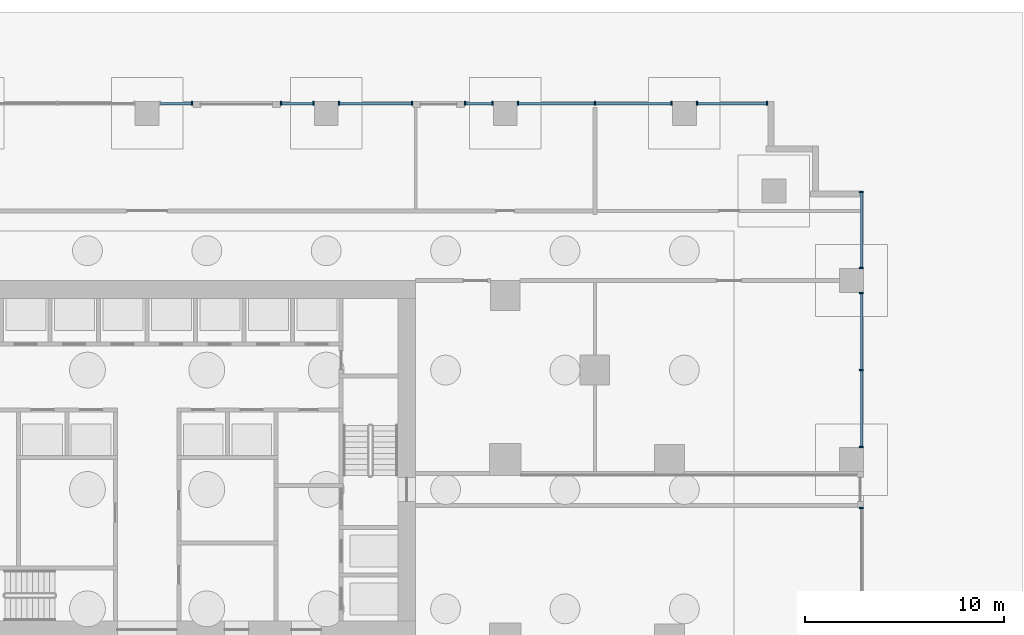
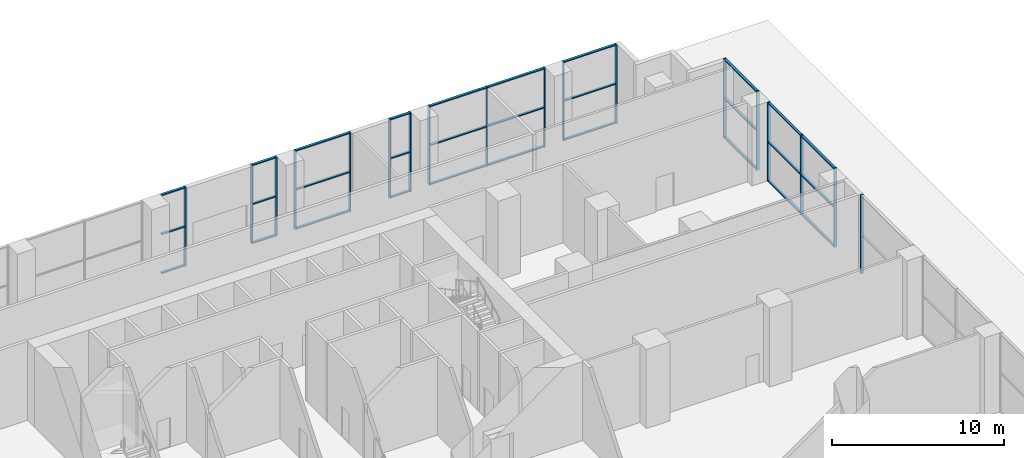
# One storey, part 8 of 20: 48 members, 9 elements without a shape of their own.
"""IFC4 building model written with IfcOpenShell, lengths in metres."""

from ifc_helpers import new_model, si_unit, direction, frame, origin, origin_2d, place, context, subcontext, project, spatial, rectangle, extrude, material, material_profile, profile_set, type_object, element, aggregate, save


model = new_model("IFC4")

# Units and contexts
model_context = context("Model", 3, precision=1e-05, world=origin(), true_north=direction((0.0, 1.0)))
body_context = subcontext(model_context, "Body", "Model", "MODEL_VIEW")
ifc_project = project(units=[si_unit("LENGTHUNIT", "METRE"), si_unit("AREAUNIT", "SQUARE_METRE"), si_unit("VOLUMEUNIT", "CUBIC_METRE"), si_unit("PLANEANGLEUNIT", "RADIAN"), si_unit("MASSUNIT", "GRAM", prefix="KILO")], contexts=[model_context])

# Site, building, storey
site_placement = place(None, origin())
site = spatial("IfcSite", under=ifc_project, at=site_placement, CompositionType="ELEMENT")
building_placement = place(site_placement, origin())
building = spatial("IfcBuilding", under=site, at=building_placement, Name="Orbiselva Terraces", CompositionType="ELEMENT")
storey_placement = place(building_placement, origin())
storey = spatial("IfcBuildingStorey", under=building, at=storey_placement, Name="L00", CompositionType="ELEMENT", Elevation=0.0)

# Curtain wall, member
ifc_material_1 = material(Name="Clear low-e glazing in aluminium frame", Category="aluminium")
curtain_wall_type = type_object("IfcCurtainWallType", Name="ENV-CW-LOBBY", PredefinedType="NOTDEFINED", material=ifc_material_1)
curtain_wall_1_placement = place(storey_placement, origin())
curtain_wall_1 = element("IfcCurtainWall", 1, at=curtain_wall_1_placement, inside=storey, type_object=curtain_wall_type, Name="Curtain wall L00 E", PredefinedType="NOTDEFINED")
ifc_material_2 = material(Name="Anodised aluminium", Category="aluminium")
ifc_material_profile_1 = material_profile(ifc_material_2, rectangle(XDim=0.2, YDim=0.075, at=origin_2d()), Name="AL 75x200")
ifc_profile_set_1 = profile_set([ifc_material_profile_1], Name="Anodised aluminium")
member_type_1 = type_object("IfcMemberType", Name="ENV-CW-LOBBY-MULLION-75x200", PredefinedType="MULLION", material=ifc_profile_set_1)
member_1_placement = place(storey_placement, frame((35.9, 11.0625, 0.0), z_axis=(0.0, 0.0, 1.0), x_axis=(-1.0, 0.0, 0.0)))
member_1 = element("IfcMember", 2, at=member_1_placement, type_object=member_type_1, Name="CW1 mullion 2", PredefinedType="MULLION", context=body_context, shape_type="SweptSolid", body=[
    extrude(rectangle(XDim=0.2, YDim=0.075, at=origin_2d()), origin(), (0.0, 0.0, 1.0), 5.6),
])
aggregate(curtain_wall_1, [member_1])

# Curtain wall, members
curtain_wall_2_placement = place(storey_placement, origin())
curtain_wall_2 = element("IfcCurtainWall", 3, at=curtain_wall_2_placement, inside=storey, type_object=curtain_wall_type, Name="Curtain wall L00 E", PredefinedType="NOTDEFINED")
member_2_placement = place(storey_placement, frame((35.9, 14.1375, 0.0), z_axis=(0.0, 0.0, 1.0), x_axis=(-1.0, 0.0, 0.0)))
member_2 = element("IfcMember", 4, at=member_2_placement, type_object=member_type_1, Name="CW1 mullion 1", PredefinedType="MULLION", context=body_context, shape_type="SweptSolid", body=[
    extrude(rectangle(XDim=0.2, YDim=0.075, at=origin_2d()), origin(), (0.0, 0.0, 1.0), 5.6),
])
member_3_placement = place(storey_placement, frame((35.9, 18.0, 0.0), z_axis=(0.0, 0.0, 1.0), x_axis=(-1.0, 0.0, 0.0)))
member_3 = element("IfcMember", 5, at=member_3_placement, type_object=member_type_1, Name="CW1 mullion 2", PredefinedType="MULLION", context=body_context, shape_type="SweptSolid", body=[
    extrude(rectangle(XDim=0.2, YDim=0.075, at=origin_2d()), origin(), (0.0, 0.0, 1.0), 5.6),
])
member_4_placement = place(storey_placement, frame((35.9, 21.8625, 0.0), z_axis=(0.0, 0.0, 1.0), x_axis=(-1.0, 0.0, 0.0)))
member_4 = element("IfcMember", 6, at=member_4_placement, type_object=member_type_1, Name="CW1 mullion 3", PredefinedType="MULLION", context=body_context, shape_type="SweptSolid", body=[
    extrude(rectangle(XDim=0.2, YDim=0.075, at=origin_2d()), origin(), (0.0, 0.0, 1.0), 5.6),
])

curtain_wall_3_placement = place(storey_placement, origin())
curtain_wall_3 = element("IfcCurtainWall", 7, at=curtain_wall_3_placement, inside=storey, type_object=curtain_wall_type, Name="Curtain wall L00 E", PredefinedType="NOTDEFINED")
member_5_placement = place(storey_placement, frame((35.9, 23.1375, 0.0), z_axis=(0.0, 0.0, 1.0), x_axis=(-1.0, 0.0, 0.0)))
member_5 = element("IfcMember", 8, at=member_5_placement, type_object=member_type_1, Name="CW1 mullion 1", PredefinedType="MULLION", context=body_context, shape_type="SweptSolid", body=[
    extrude(rectangle(XDim=0.2, YDim=0.075, at=origin_2d()), origin(), (0.0, 0.0, 1.0), 5.6),
])
member_6_placement = place(storey_placement, frame((35.9, 26.9625, 0.0), z_axis=(0.0, 0.0, 1.0), x_axis=(-1.0, 0.0, 0.0)))
member_6 = element("IfcMember", 9, at=member_6_placement, type_object=member_type_1, Name="CW1 mullion 2", PredefinedType="MULLION", context=body_context, shape_type="SweptSolid", body=[
    extrude(rectangle(XDim=0.2, YDim=0.075, at=origin_2d()), origin(), (0.0, 0.0, 1.0), 5.6),
])

curtain_wall_4_placement = place(storey_placement, origin())
curtain_wall_4 = element("IfcCurtainWall", 10, at=curtain_wall_4_placement, inside=storey, type_object=curtain_wall_type, Name="Curtain wall L00 N", PredefinedType="NOTDEFINED")
member_7_placement = place(storey_placement, frame((31.1625, 31.4, 0.0), z_axis=(0.0, 0.0, 1.0), x_axis=(0.0, -1.0, 0.0)))
member_7 = element("IfcMember", 11, at=member_7_placement, type_object=member_type_1, Name="CW1 mullion 1", PredefinedType="MULLION", context=body_context, shape_type="SweptSolid", body=[
    extrude(rectangle(XDim=0.2, YDim=0.075, at=origin_2d()), origin(), (0.0, 0.0, 1.0), 5.6),
])
member_8_placement = place(storey_placement, frame((27.6375, 31.4, 0.0), z_axis=(0.0, 0.0, 1.0), x_axis=(0.0, -1.0, 0.0)))
member_8 = element("IfcMember", 12, at=member_8_placement, type_object=member_type_1, Name="CW1 mullion 2", PredefinedType="MULLION", context=body_context, shape_type="SweptSolid", body=[
    extrude(rectangle(XDim=0.2, YDim=0.075, at=origin_2d()), origin(), (0.0, 0.0, 1.0), 5.6),
])

curtain_wall_5_placement = place(storey_placement, origin())
curtain_wall_5 = element("IfcCurtainWall", 13, at=curtain_wall_5_placement, inside=storey, type_object=curtain_wall_type, Name="Curtain wall L00 N", PredefinedType="NOTDEFINED")
member_9_placement = place(storey_placement, frame((26.3625, 31.4, 0.0), z_axis=(0.0, 0.0, 1.0), x_axis=(0.0, -1.0, 0.0)))
member_9 = element("IfcMember", 14, at=member_9_placement, type_object=member_type_1, Name="CW1 mullion 1", PredefinedType="MULLION", context=body_context, shape_type="SweptSolid", body=[
    extrude(rectangle(XDim=0.2, YDim=0.075, at=origin_2d()), origin(), (0.0, 0.0, 1.0), 5.6),
])
member_10_placement = place(storey_placement, frame((22.5, 31.4, 0.0), z_axis=(0.0, 0.0, 1.0), x_axis=(0.0, -1.0, 0.0)))
member_10 = element("IfcMember", 15, at=member_10_placement, type_object=member_type_1, Name="CW1 mullion 2", PredefinedType="MULLION", context=body_context, shape_type="SweptSolid", body=[
    extrude(rectangle(XDim=0.2, YDim=0.075, at=origin_2d()), origin(), (0.0, 0.0, 1.0), 5.6),
])
member_11_placement = place(storey_placement, frame((18.6375, 31.4, 0.0), z_axis=(0.0, 0.0, 1.0), x_axis=(0.0, -1.0, 0.0)))
member_11 = element("IfcMember", 16, at=member_11_placement, type_object=member_type_1, Name="CW1 mullion 3", PredefinedType="MULLION", context=body_context, shape_type="SweptSolid", body=[
    extrude(rectangle(XDim=0.2, YDim=0.075, at=origin_2d()), origin(), (0.0, 0.0, 1.0), 5.6),
])

curtain_wall_6_placement = place(storey_placement, origin())
curtain_wall_6 = element("IfcCurtainWall", 17, at=curtain_wall_6_placement, inside=storey, type_object=curtain_wall_type, Name="Curtain wall L00 N", PredefinedType="NOTDEFINED")
member_12_placement = place(storey_placement, frame((17.3625, 31.4, 0.0), z_axis=(0.0, 0.0, 1.0), x_axis=(0.0, -1.0, 0.0)))
member_12 = element("IfcMember", 18, at=member_12_placement, type_object=member_type_1, Name="CW1 mullion 1", PredefinedType="MULLION", context=body_context, shape_type="SweptSolid", body=[
    extrude(rectangle(XDim=0.2, YDim=0.075, at=origin_2d()), origin(), (0.0, 0.0, 1.0), 5.6),
])
member_13_placement = place(storey_placement, frame((15.9875, 31.4, 0.0), z_axis=(0.0, 0.0, 1.0), x_axis=(0.0, -1.0, 0.0)))
member_13 = element("IfcMember", 19, at=member_13_placement, type_object=member_type_1, Name="CW1 mullion 2", PredefinedType="MULLION", context=body_context, shape_type="SweptSolid", body=[
    extrude(rectangle(XDim=0.2, YDim=0.075, at=origin_2d()), origin(), (0.0, 0.0, 1.0), 5.6),
])

curtain_wall_7_placement = place(storey_placement, origin())
curtain_wall_7 = element("IfcCurtainWall", 20, at=curtain_wall_7_placement, inside=storey, type_object=curtain_wall_type, Name="Curtain wall L00 N", PredefinedType="NOTDEFINED")
member_14_placement = place(storey_placement, frame((13.3125, 31.4, 0.0), z_axis=(0.0, 0.0, 1.0), x_axis=(0.0, -1.0, 0.0)))
member_14 = element("IfcMember", 21, at=member_14_placement, type_object=member_type_1, Name="CW1 mullion 1", PredefinedType="MULLION", context=body_context, shape_type="SweptSolid", body=[
    extrude(rectangle(XDim=0.2, YDim=0.075, at=origin_2d()), origin(), (0.0, 0.0, 1.0), 5.6),
])
member_15_placement = place(storey_placement, frame((9.6375, 31.4, 0.0), z_axis=(0.0, 0.0, 1.0), x_axis=(0.0, -1.0, 0.0)))
member_15 = element("IfcMember", 22, at=member_15_placement, type_object=member_type_1, Name="CW1 mullion 2", PredefinedType="MULLION", context=body_context, shape_type="SweptSolid", body=[
    extrude(rectangle(XDim=0.2, YDim=0.075, at=origin_2d()), origin(), (0.0, 0.0, 1.0), 5.6),
])

curtain_wall_8_placement = place(storey_placement, origin())
curtain_wall_8 = element("IfcCurtainWall", 23, at=curtain_wall_8_placement, inside=storey, type_object=curtain_wall_type, Name="Curtain wall L00 N", PredefinedType="NOTDEFINED")
member_16_placement = place(storey_placement, frame((8.3625, 31.4, 0.0), z_axis=(0.0, 0.0, 1.0), x_axis=(0.0, -1.0, 0.0)))
member_16 = element("IfcMember", 24, at=member_16_placement, type_object=member_type_1, Name="CW1 mullion 1", PredefinedType="MULLION", context=body_context, shape_type="SweptSolid", body=[
    extrude(rectangle(XDim=0.2, YDim=0.075, at=origin_2d()), origin(), (0.0, 0.0, 1.0), 5.6),
])
member_17_placement = place(storey_placement, frame((6.7375, 31.4, 0.0), z_axis=(0.0, 0.0, 1.0), x_axis=(0.0, -1.0, 0.0)))
member_17 = element("IfcMember", 25, at=member_17_placement, type_object=member_type_1, Name="CW1 mullion 2", PredefinedType="MULLION", context=body_context, shape_type="SweptSolid", body=[
    extrude(rectangle(XDim=0.2, YDim=0.075, at=origin_2d()), origin(), (0.0, 0.0, 1.0), 5.6),
])

# Curtain wall, member
curtain_wall_9_placement = place(storey_placement, origin())
curtain_wall_9 = element("IfcCurtainWall", 26, at=curtain_wall_9_placement, inside=storey, type_object=curtain_wall_type, Name="Curtain wall L00 N", PredefinedType="NOTDEFINED")
member_18_placement = place(storey_placement, frame((2.2625, 31.4, 0.0), z_axis=(0.0, 0.0, 1.0), x_axis=(0.0, -1.0, 0.0)))
member_18 = element("IfcMember", 27, at=member_18_placement, type_object=member_type_1, Name="CW1 mullion 1", PredefinedType="MULLION", context=body_context, shape_type="SweptSolid", body=[
    extrude(rectangle(XDim=0.2, YDim=0.075, at=origin_2d()), origin(), (0.0, 0.0, 1.0), 5.6),
])

# Member
ifc_material_profile_2 = material_profile(ifc_material_2, rectangle(XDim=0.16, YDim=0.075, at=origin_2d()), Name="AL 75x160")
ifc_profile_set_2 = profile_set([ifc_material_profile_2], Name="Anodised aluminium")
member_type_2 = type_object("IfcMemberType", Name="ENV-CW-LOBBY-TRANSOM-75x160", PredefinedType="USERDEFINED", material=ifc_profile_set_2)
member_19_placement = place(storey_placement, frame((35.9, 14.175, 0.0375), z_axis=(0.0, 1.0, 0.0), x_axis=(-1.0, 0.0, 0.0)))
member_19 = element("IfcMember", 28, at=member_19_placement, type_object=member_type_2, Name="CW1 transom 1.1", ObjectType="TRANSOM", PredefinedType="USERDEFINED", context=body_context, shape_type="SweptSolid", body=[
    extrude(rectangle(XDim=0.16, YDim=0.075, at=origin_2d()), origin(), (0.0, 0.0, 1.0), 3.7875),
])

member_20_placement = place(storey_placement, frame((35.9, 14.175, 2.8), z_axis=(0.0, 1.0, 0.0), x_axis=(-1.0, 0.0, 0.0)))
member_20 = element("IfcMember", 29, at=member_20_placement, type_object=member_type_2, Name="CW1 transom 1.2", ObjectType="TRANSOM", PredefinedType="USERDEFINED", context=body_context, shape_type="SweptSolid", body=[
    extrude(rectangle(XDim=0.16, YDim=0.075, at=origin_2d()), origin(), (0.0, 0.0, 1.0), 3.7875),
])

member_21_placement = place(storey_placement, frame((35.9, 14.175, 5.5625), z_axis=(0.0, 1.0, 0.0), x_axis=(-1.0, 0.0, 0.0)))
member_21 = element("IfcMember", 30, at=member_21_placement, type_object=member_type_2, Name="CW1 transom 1.3", ObjectType="TRANSOM", PredefinedType="USERDEFINED", context=body_context, shape_type="SweptSolid", body=[
    extrude(rectangle(XDim=0.16, YDim=0.075, at=origin_2d()), origin(), (0.0, 0.0, 1.0), 3.7875),
])

member_22_placement = place(storey_placement, frame((35.9, 18.0375, 0.0375), z_axis=(0.0, 1.0, 0.0), x_axis=(-1.0, 0.0, 0.0)))
member_22 = element("IfcMember", 31, at=member_22_placement, type_object=member_type_2, Name="CW1 transom 2.1", ObjectType="TRANSOM", PredefinedType="USERDEFINED", context=body_context, shape_type="SweptSolid", body=[
    extrude(rectangle(XDim=0.16, YDim=0.075, at=origin_2d()), origin(), (0.0, 0.0, 1.0), 3.7875),
])

member_23_placement = place(storey_placement, frame((35.9, 18.0375, 2.8), z_axis=(0.0, 1.0, 0.0), x_axis=(-1.0, 0.0, 0.0)))
member_23 = element("IfcMember", 32, at=member_23_placement, type_object=member_type_2, Name="CW1 transom 2.2", ObjectType="TRANSOM", PredefinedType="USERDEFINED", context=body_context, shape_type="SweptSolid", body=[
    extrude(rectangle(XDim=0.16, YDim=0.075, at=origin_2d()), origin(), (0.0, 0.0, 1.0), 3.7875),
])

member_24_placement = place(storey_placement, frame((35.9, 18.0375, 5.5625), z_axis=(0.0, 1.0, 0.0), x_axis=(-1.0, 0.0, 0.0)))
member_24 = element("IfcMember", 33, at=member_24_placement, type_object=member_type_2, Name="CW1 transom 2.3", ObjectType="TRANSOM", PredefinedType="USERDEFINED", context=body_context, shape_type="SweptSolid", body=[
    extrude(rectangle(XDim=0.16, YDim=0.075, at=origin_2d()), origin(), (0.0, 0.0, 1.0), 3.7875),
])

aggregate(curtain_wall_2, [member_2, member_3, member_4, member_19, member_20, member_21, member_22, member_23, member_24])

member_25_placement = place(storey_placement, frame((35.9, 23.175, 0.0375), z_axis=(0.0, 1.0, 0.0), x_axis=(-1.0, 0.0, 0.0)))
member_25 = element("IfcMember", 34, at=member_25_placement, type_object=member_type_2, Name="CW1 transom 1.1", ObjectType="TRANSOM", PredefinedType="USERDEFINED", context=body_context, shape_type="SweptSolid", body=[
    extrude(rectangle(XDim=0.16, YDim=0.075, at=origin_2d()), origin(), (0.0, 0.0, 1.0), 3.75),
])

member_26_placement = place(storey_placement, frame((35.9, 23.175, 2.8), z_axis=(0.0, 1.0, 0.0), x_axis=(-1.0, 0.0, 0.0)))
member_26 = element("IfcMember", 35, at=member_26_placement, type_object=member_type_2, Name="CW1 transom 1.2", ObjectType="TRANSOM", PredefinedType="USERDEFINED", context=body_context, shape_type="SweptSolid", body=[
    extrude(rectangle(XDim=0.16, YDim=0.075, at=origin_2d()), origin(), (0.0, 0.0, 1.0), 3.75),
])

member_27_placement = place(storey_placement, frame((35.9, 23.175, 5.5625), z_axis=(0.0, 1.0, 0.0), x_axis=(-1.0, 0.0, 0.0)))
member_27 = element("IfcMember", 36, at=member_27_placement, type_object=member_type_2, Name="CW1 transom 1.3", ObjectType="TRANSOM", PredefinedType="USERDEFINED", context=body_context, shape_type="SweptSolid", body=[
    extrude(rectangle(XDim=0.16, YDim=0.075, at=origin_2d()), origin(), (0.0, 0.0, 1.0), 3.75),
])

aggregate(curtain_wall_3, [member_5, member_6, member_25, member_26, member_27])

member_28_placement = place(storey_placement, frame((31.125, 31.4, 0.0375), z_axis=(-1.0, 0.0, 0.0), x_axis=(0.0, -1.0, 0.0)))
member_28 = element("IfcMember", 37, at=member_28_placement, type_object=member_type_2, Name="CW1 transom 1.1", ObjectType="TRANSOM", PredefinedType="USERDEFINED", context=body_context, shape_type="SweptSolid", body=[
    extrude(rectangle(XDim=0.16, YDim=0.075, at=origin_2d()), origin(), (0.0, 0.0, 1.0), 3.45),
])

member_29_placement = place(storey_placement, frame((31.125, 31.4, 2.8), z_axis=(-1.0, 0.0, 0.0), x_axis=(0.0, -1.0, 0.0)))
member_29 = element("IfcMember", 38, at=member_29_placement, type_object=member_type_2, Name="CW1 transom 1.2", ObjectType="TRANSOM", PredefinedType="USERDEFINED", context=body_context, shape_type="SweptSolid", body=[
    extrude(rectangle(XDim=0.16, YDim=0.075, at=origin_2d()), origin(), (0.0, 0.0, 1.0), 3.45),
])

member_30_placement = place(storey_placement, frame((31.125, 31.4, 5.5625), z_axis=(-1.0, 0.0, 0.0), x_axis=(0.0, -1.0, 0.0)))
member_30 = element("IfcMember", 39, at=member_30_placement, type_object=member_type_2, Name="CW1 transom 1.3", ObjectType="TRANSOM", PredefinedType="USERDEFINED", context=body_context, shape_type="SweptSolid", body=[
    extrude(rectangle(XDim=0.16, YDim=0.075, at=origin_2d()), origin(), (0.0, 0.0, 1.0), 3.45),
])

aggregate(curtain_wall_4, [member_7, member_8, member_28, member_29, member_30])

member_31_placement = place(storey_placement, frame((26.325, 31.4, 0.0375), z_axis=(-1.0, 0.0, 0.0), x_axis=(0.0, -1.0, 0.0)))
member_31 = element("IfcMember", 40, at=member_31_placement, type_object=member_type_2, Name="CW1 transom 1.1", ObjectType="TRANSOM", PredefinedType="USERDEFINED", context=body_context, shape_type="SweptSolid", body=[
    extrude(rectangle(XDim=0.16, YDim=0.075, at=origin_2d()), origin(), (0.0, 0.0, 1.0), 3.7875),
])

member_32_placement = place(storey_placement, frame((26.325, 31.4, 2.8), z_axis=(-1.0, 0.0, 0.0), x_axis=(0.0, -1.0, 0.0)))
member_32 = element("IfcMember", 41, at=member_32_placement, type_object=member_type_2, Name="CW1 transom 1.2", ObjectType="TRANSOM", PredefinedType="USERDEFINED", context=body_context, shape_type="SweptSolid", body=[
    extrude(rectangle(XDim=0.16, YDim=0.075, at=origin_2d()), origin(), (0.0, 0.0, 1.0), 3.7875),
])

member_33_placement = place(storey_placement, frame((26.325, 31.4, 5.5625), z_axis=(-1.0, 0.0, 0.0), x_axis=(0.0, -1.0, 0.0)))
member_33 = element("IfcMember", 42, at=member_33_placement, type_object=member_type_2, Name="CW1 transom 1.3", ObjectType="TRANSOM", PredefinedType="USERDEFINED", context=body_context, shape_type="SweptSolid", body=[
    extrude(rectangle(XDim=0.16, YDim=0.075, at=origin_2d()), origin(), (0.0, 0.0, 1.0), 3.7875),
])

member_34_placement = place(storey_placement, frame((22.4625, 31.4, 0.0375), z_axis=(-1.0, 0.0, 0.0), x_axis=(0.0, -1.0, 0.0)))
member_34 = element("IfcMember", 43, at=member_34_placement, type_object=member_type_2, Name="CW1 transom 2.1", ObjectType="TRANSOM", PredefinedType="USERDEFINED", context=body_context, shape_type="SweptSolid", body=[
    extrude(rectangle(XDim=0.16, YDim=0.075, at=origin_2d()), origin(), (0.0, 0.0, 1.0), 3.7875),
])

member_35_placement = place(storey_placement, frame((22.4625, 31.4, 2.8), z_axis=(-1.0, 0.0, 0.0), x_axis=(0.0, -1.0, 0.0)))
member_35 = element("IfcMember", 44, at=member_35_placement, type_object=member_type_2, Name="CW1 transom 2.2", ObjectType="TRANSOM", PredefinedType="USERDEFINED", context=body_context, shape_type="SweptSolid", body=[
    extrude(rectangle(XDim=0.16, YDim=0.075, at=origin_2d()), origin(), (0.0, 0.0, 1.0), 3.7875),
])

member_36_placement = place(storey_placement, frame((22.4625, 31.4, 5.5625), z_axis=(-1.0, 0.0, 0.0), x_axis=(0.0, -1.0, 0.0)))
member_36 = element("IfcMember", 45, at=member_36_placement, type_object=member_type_2, Name="CW1 transom 2.3", ObjectType="TRANSOM", PredefinedType="USERDEFINED", context=body_context, shape_type="SweptSolid", body=[
    extrude(rectangle(XDim=0.16, YDim=0.075, at=origin_2d()), origin(), (0.0, 0.0, 1.0), 3.7875),
])

aggregate(curtain_wall_5, [member_9, member_10, member_11, member_31, member_32, member_33, member_34, member_35, member_36])

member_37_placement = place(storey_placement, frame((17.325, 31.4, 0.0375), z_axis=(-1.0, 0.0, 0.0), x_axis=(0.0, -1.0, 0.0)))
member_37 = element("IfcMember", 46, at=member_37_placement, type_object=member_type_2, Name="CW1 transom 1.1", ObjectType="TRANSOM", PredefinedType="USERDEFINED", context=body_context, shape_type="SweptSolid", body=[
    extrude(rectangle(XDim=0.16, YDim=0.075, at=origin_2d()), origin(), (0.0, 0.0, 1.0), 1.3),
])

member_38_placement = place(storey_placement, frame((17.325, 31.4, 2.8), z_axis=(-1.0, 0.0, 0.0), x_axis=(0.0, -1.0, 0.0)))
member_38 = element("IfcMember", 47, at=member_38_placement, type_object=member_type_2, Name="CW1 transom 1.2", ObjectType="TRANSOM", PredefinedType="USERDEFINED", context=body_context, shape_type="SweptSolid", body=[
    extrude(rectangle(XDim=0.16, YDim=0.075, at=origin_2d()), origin(), (0.0, 0.0, 1.0), 1.3),
])

member_39_placement = place(storey_placement, frame((17.325, 31.4, 5.5625), z_axis=(-1.0, 0.0, 0.0), x_axis=(0.0, -1.0, 0.0)))
member_39 = element("IfcMember", 48, at=member_39_placement, type_object=member_type_2, Name="CW1 transom 1.3", ObjectType="TRANSOM", PredefinedType="USERDEFINED", context=body_context, shape_type="SweptSolid", body=[
    extrude(rectangle(XDim=0.16, YDim=0.075, at=origin_2d()), origin(), (0.0, 0.0, 1.0), 1.3),
])

aggregate(curtain_wall_6, [member_12, member_13, member_37, member_38, member_39])

member_40_placement = place(storey_placement, frame((13.275, 31.4, 0.0375), z_axis=(-1.0, 0.0, 0.0), x_axis=(0.0, -1.0, 0.0)))
member_40 = element("IfcMember", 49, at=member_40_placement, type_object=member_type_2, Name="CW1 transom 1.1", ObjectType="TRANSOM", PredefinedType="USERDEFINED", context=body_context, shape_type="SweptSolid", body=[
    extrude(rectangle(XDim=0.16, YDim=0.075, at=origin_2d()), origin(), (0.0, 0.0, 1.0), 3.6),
])

member_41_placement = place(storey_placement, frame((13.275, 31.4, 2.8), z_axis=(-1.0, 0.0, 0.0), x_axis=(0.0, -1.0, 0.0)))
member_41 = element("IfcMember", 50, at=member_41_placement, type_object=member_type_2, Name="CW1 transom 1.2", ObjectType="TRANSOM", PredefinedType="USERDEFINED", context=body_context, shape_type="SweptSolid", body=[
    extrude(rectangle(XDim=0.16, YDim=0.075, at=origin_2d()), origin(), (0.0, 0.0, 1.0), 3.6),
])

member_42_placement = place(storey_placement, frame((13.275, 31.4, 5.5625), z_axis=(-1.0, 0.0, 0.0), x_axis=(0.0, -1.0, 0.0)))
member_42 = element("IfcMember", 51, at=member_42_placement, type_object=member_type_2, Name="CW1 transom 1.3", ObjectType="TRANSOM", PredefinedType="USERDEFINED", context=body_context, shape_type="SweptSolid", body=[
    extrude(rectangle(XDim=0.16, YDim=0.075, at=origin_2d()), origin(), (0.0, 0.0, 1.0), 3.6),
])

aggregate(curtain_wall_7, [member_14, member_15, member_40, member_41, member_42])

member_43_placement = place(storey_placement, frame((8.325, 31.4, 0.0375), z_axis=(-1.0, 0.0, 0.0), x_axis=(0.0, -1.0, 0.0)))
member_43 = element("IfcMember", 52, at=member_43_placement, type_object=member_type_2, Name="CW1 transom 1.1", ObjectType="TRANSOM", PredefinedType="USERDEFINED", context=body_context, shape_type="SweptSolid", body=[
    extrude(rectangle(XDim=0.16, YDim=0.075, at=origin_2d()), origin(), (0.0, 0.0, 1.0), 1.55),
])

member_44_placement = place(storey_placement, frame((8.325, 31.4, 2.8), z_axis=(-1.0, 0.0, 0.0), x_axis=(0.0, -1.0, 0.0)))
member_44 = element("IfcMember", 53, at=member_44_placement, type_object=member_type_2, Name="CW1 transom 1.2", ObjectType="TRANSOM", PredefinedType="USERDEFINED", context=body_context, shape_type="SweptSolid", body=[
    extrude(rectangle(XDim=0.16, YDim=0.075, at=origin_2d()), origin(), (0.0, 0.0, 1.0), 1.55),
])

member_45_placement = place(storey_placement, frame((8.325, 31.4, 5.5625), z_axis=(-1.0, 0.0, 0.0), x_axis=(0.0, -1.0, 0.0)))
member_45 = element("IfcMember", 54, at=member_45_placement, type_object=member_type_2, Name="CW1 transom 1.3", ObjectType="TRANSOM", PredefinedType="USERDEFINED", context=body_context, shape_type="SweptSolid", body=[
    extrude(rectangle(XDim=0.16, YDim=0.075, at=origin_2d()), origin(), (0.0, 0.0, 1.0), 1.55),
])

aggregate(curtain_wall_8, [member_16, member_17, member_43, member_44, member_45])

member_46_placement = place(storey_placement, frame((2.225, 31.4, 0.0375), z_axis=(-1.0, 0.0, 0.0), x_axis=(0.0, -1.0, 0.0)))
member_46 = element("IfcMember", 55, at=member_46_placement, type_object=member_type_2, Name="CW1 transom 1.1", ObjectType="TRANSOM", PredefinedType="USERDEFINED", context=body_context, shape_type="SweptSolid", body=[
    extrude(rectangle(XDim=0.16, YDim=0.075, at=origin_2d()), origin(), (0.0, 0.0, 1.0), 1.55),
])

member_47_placement = place(storey_placement, frame((2.225, 31.4, 2.8), z_axis=(-1.0, 0.0, 0.0), x_axis=(0.0, -1.0, 0.0)))
member_47 = element("IfcMember", 56, at=member_47_placement, type_object=member_type_2, Name="CW1 transom 1.2", ObjectType="TRANSOM", PredefinedType="USERDEFINED", context=body_context, shape_type="SweptSolid", body=[
    extrude(rectangle(XDim=0.16, YDim=0.075, at=origin_2d()), origin(), (0.0, 0.0, 1.0), 1.55),
])

member_48_placement = place(storey_placement, frame((2.225, 31.4, 5.5625), z_axis=(-1.0, 0.0, 0.0), x_axis=(0.0, -1.0, 0.0)))
member_48 = element("IfcMember", 57, at=member_48_placement, type_object=member_type_2, Name="CW1 transom 1.3", ObjectType="TRANSOM", PredefinedType="USERDEFINED", context=body_context, shape_type="SweptSolid", body=[
    extrude(rectangle(XDim=0.16, YDim=0.075, at=origin_2d()), origin(), (0.0, 0.0, 1.0), 1.55),
])

aggregate(curtain_wall_9, [member_18, member_46, member_47, member_48])

save(model, "model.ifc")
